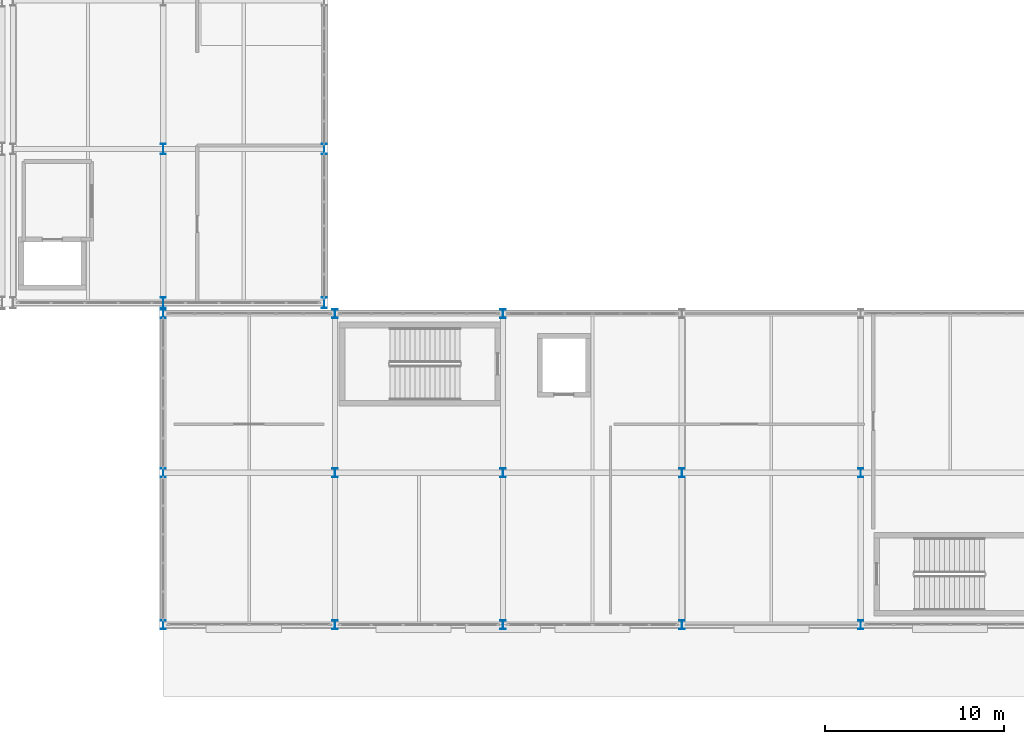
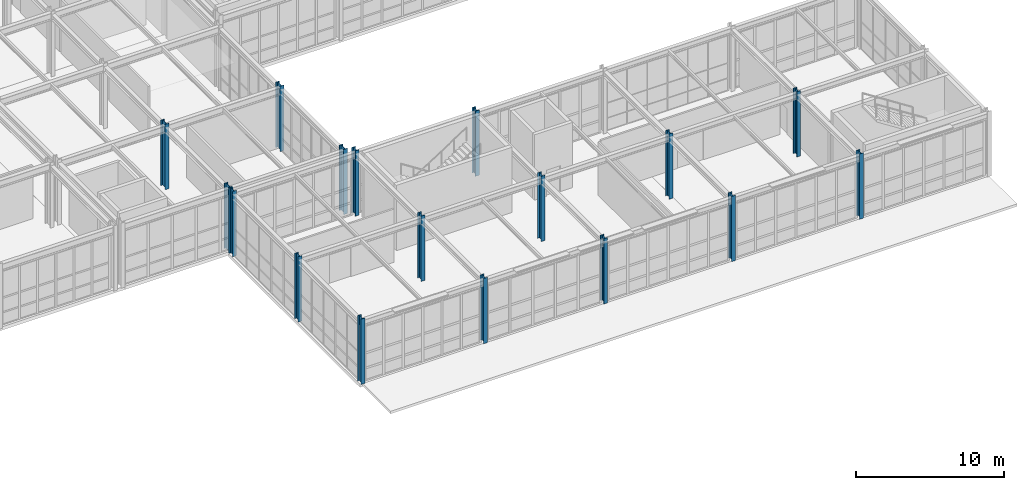
# One storey, part 13 of 210: 17 columns.
"""IFC4 building model written with IfcOpenShell, lengths in metres."""

from ifc_helpers import new_model, si_unit, direction, frame, origin, origin_2d, place, context, subcontext, project, spatial, i_section, extrude, material, material_profile, profile_set, type_object, element, save


model = new_model("IFC4")

# Units and contexts
model_context = context("Model", 3, precision=1e-05, world=origin(), true_north=direction((0.0, 1.0)))
body_context = subcontext(model_context, "Body", "Model", "MODEL_VIEW")
ifc_project = project(units=[si_unit("LENGTHUNIT", "METRE"), si_unit("AREAUNIT", "SQUARE_METRE"), si_unit("VOLUMEUNIT", "CUBIC_METRE"), si_unit("PLANEANGLEUNIT", "RADIAN"), si_unit("MASSUNIT", "GRAM", prefix="KILO")], contexts=[model_context])

# Site, building, storey
site_placement = place(None, origin())
site = spatial("IfcSite", under=ifc_project, at=site_placement, CompositionType="ELEMENT")
building_placement = place(site_placement, origin())
building = spatial("IfcBuilding", under=site, at=building_placement, Name="Kaldris Quays Convention Centre", CompositionType="ELEMENT")
storey_placement = place(building_placement, frame((0.0, 0.0, 6.0)))
storey = spatial("IfcBuildingStorey", under=building, at=storey_placement, Name="L01", CompositionType="ELEMENT", Elevation=6.0)

# Columns
ifc_material = material(Name="Steel S355J2", Category="steel")
ifc_material_profile_1 = material_profile(ifc_material, i_section(OverallWidth=0.300048828125, OverallDepth=0.60009765625, WebThickness=0.015380859375, FlangeThickness=0.030029296875, FilletRadius=0.027099609375, at=origin_2d()), Name="HEB 600")
ifc_profile_set_1 = profile_set([ifc_material_profile_1], Name="Steel S355J2")
column_type_1 = type_object("IfcColumnType", Name="STRUCTURAL COLUMN CL06", PredefinedType="COLUMN", material=ifc_profile_set_1)
for number, where, z_axis, x_axis, name in (
    (1, (155.0, 38.0, 0.0), (0.0, 0.0, 1.0), (1.0, 0.0, 0.0), "L01 V4 Column CL06 (155.00, 38.00)"),
    (2, (155.0, 46.60009765625, 0.0), (0.0, 0.0, 1.0), (1.0, 0.0, 0.0), "L01 V4 Column CL06 (155.00, 46.60)"),
    (3, (164.0, 38.0, 0.0), (0.0, 0.0, 1.0), (1.0, 0.0, 0.0), "L01 V4 Column CL06 (164.00, 38.00)"),
    (4, (164.0, 46.60009765625, 0.0), (0.0, 0.0, 1.0), (1.0, 0.0, 0.0), "L01 V4 Column CL06 (164.00, 46.60)"),
):
    element("IfcColumn", number, at=place(storey_placement, frame(where, z_axis=z_axis, x_axis=x_axis)), inside=storey, type_object=column_type_1, Name=name, PredefinedType="COLUMN", context=body_context, shape_type="SweptSolid", body=[
        extrude(i_section(OverallWidth=0.300048828125, OverallDepth=0.60009765625, WebThickness=0.015380859375, FlangeThickness=0.030029296875, FilletRadius=0.027099609375, at=origin_2d()), origin(), (0.0, 0.0, 1.0), 5.39990234375),
    ])
ifc_material_profile_2 = material_profile(ifc_material, i_section(OverallWidth=0.300048828125, OverallDepth=0.5, WebThickness=0.014404296875, FlangeThickness=0.028076171875, FilletRadius=0.027099609375, at=origin_2d()), Name="HEB 500")
ifc_profile_set_2 = profile_set([ifc_material_profile_2], Name="Steel S355J2")
column_type_2 = type_object("IfcColumnType", Name="STRUCTURAL COLUMN CL07", PredefinedType="COLUMN", material=ifc_profile_set_2)
for number, where, z_axis, x_axis, name in (
    (5, (155.0, 20.0, 0.0), (0.0, 0.0, 1.0), (1.0, 0.0, 0.0), "L01 V5 Column CL07 (155.00, 20.00)"),
    (6, (155.0, 28.5, 0.0), (0.0, 0.0, 1.0), (1.0, 0.0, 0.0), "L01 V5 Column CL07 (155.00, 28.50)"),
    (7, (155.0, 37.39990234375, 0.0), (0.0, 0.0, 1.0), (1.0, 0.0, 0.0), "L01 V5 Column CL07 (155.00, 37.40)"),
    (8, (164.60009765625, 20.0, 0.0), (0.0, 0.0, 1.0), (1.0, 0.0, 0.0), "L01 V5 Column CL07 (164.60, 20.00)"),
    (9, (164.60009765625, 28.5, 0.0), (0.0, 0.0, 1.0), (1.0, 0.0, 0.0), "L01 V5 Column CL07 (164.60, 28.50)"),
    (10, (164.60009765625, 37.39990234375, 0.0), (0.0, 0.0, 1.0), (1.0, 0.0, 0.0), "L01 V5 Column CL07 (164.60, 37.40)"),
    (11, (174.0, 20.0, 0.0), (0.0, 0.0, 1.0), (1.0, 0.0, 0.0), "L01 V5 Column CL07 (174.00, 20.00)"),
    (12, (174.0, 28.5, 0.0), (0.0, 0.0, 1.0), (1.0, 0.0, 0.0), "L01 V5 Column CL07 (174.00, 28.50)"),
    (13, (174.0, 37.39990234375, 0.0), (0.0, 0.0, 1.0), (1.0, 0.0, 0.0), "L01 V5 Column CL07 (174.00, 37.40)"),
    (14, (184.0, 20.0, 0.0), (0.0, 0.0, 1.0), (1.0, 0.0, 0.0), "L01 V5 Column CL07 (184.00, 20.00)"),
    (15, (184.0, 28.5, 0.0), (0.0, 0.0, 1.0), (1.0, 0.0, 0.0), "L01 V5 Column CL07 (184.00, 28.50)"),
    (16, (194.0, 20.0, 0.0), (0.0, 0.0, 1.0), (1.0, 0.0, 0.0), "L01 V5 Column CL07 (194.00, 20.00)"),
    (17, (194.0, 28.5, 0.0), (0.0, 0.0, 1.0), (1.0, 0.0, 0.0), "L01 V5 Column CL07 (194.00, 28.50)"),
):
    element("IfcColumn", number, at=place(storey_placement, frame(where, z_axis=z_axis, x_axis=x_axis)), inside=storey, type_object=column_type_2, Name=name, PredefinedType="COLUMN", context=body_context, shape_type="SweptSolid", body=[
        extrude(i_section(OverallWidth=0.300048828125, OverallDepth=0.5, WebThickness=0.014404296875, FlangeThickness=0.028076171875, FilletRadius=0.027099609375, at=origin_2d()), origin(), (0.0, 0.0, 1.0), 5.39990234375),
    ])

save(model, "model.ifc")
